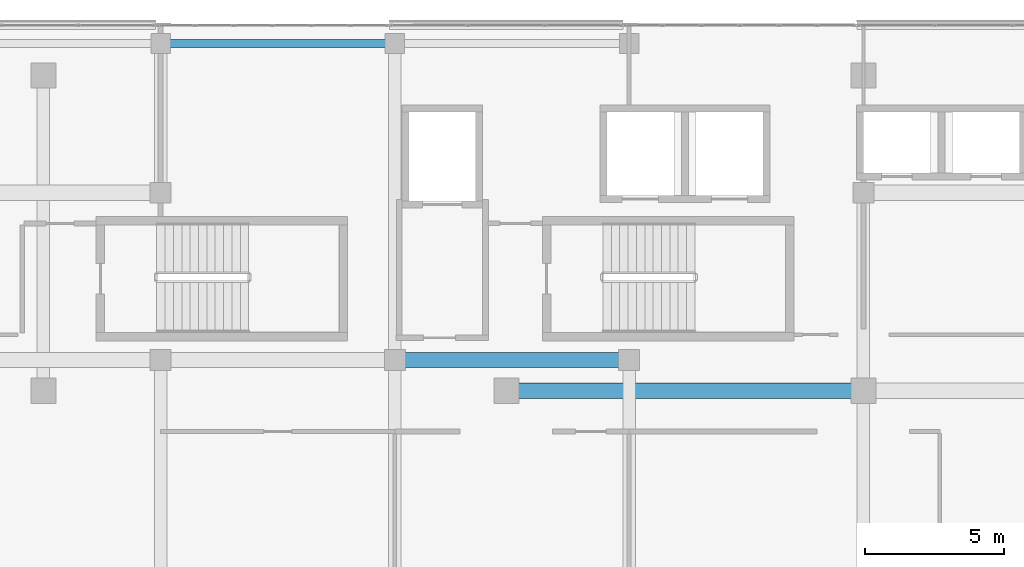
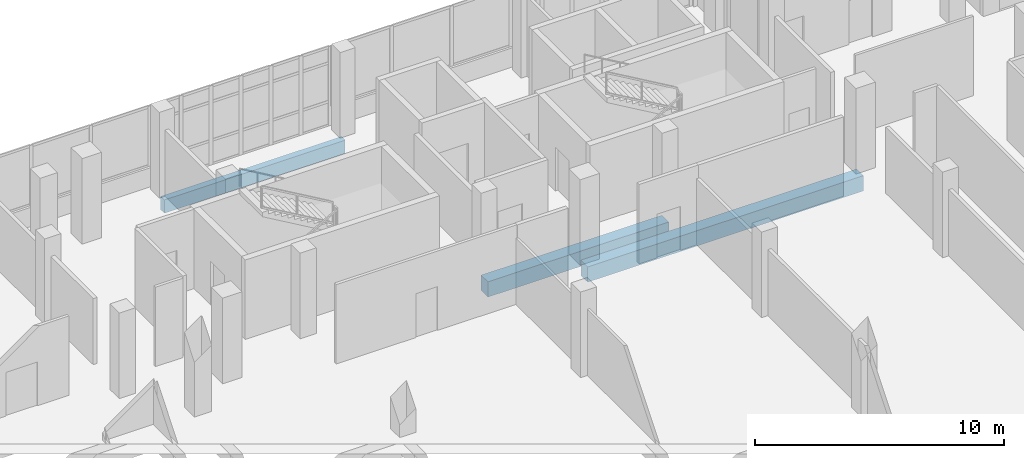
# One storey, part 112 of 184: 3 beams.
"""IFC4 building model written with IfcOpenShell, lengths in metres."""

from ifc_helpers import new_model, si_unit, direction, frame, origin, origin_2d, place, context, subcontext, project, spatial, rectangle, extrude, material, material_profile, profile_set, type_object, element, save


model = new_model("IFC4")

# Units and contexts
model_context = context("Model", 3, precision=1e-05, world=origin(), true_north=direction((0.0, 1.0)))
body_context = subcontext(model_context, "Body", "Model", "MODEL_VIEW")
ifc_project = project(units=[si_unit("LENGTHUNIT", "METRE"), si_unit("AREAUNIT", "SQUARE_METRE"), si_unit("VOLUMEUNIT", "CUBIC_METRE"), si_unit("PLANEANGLEUNIT", "RADIAN"), si_unit("MASSUNIT", "GRAM", prefix="KILO")], contexts=[model_context])

# Site, building, storey
site_placement = place(None, origin())
site = spatial("IfcSite", under=ifc_project, at=site_placement, CompositionType="ELEMENT")
building_placement = place(site_placement, origin())
building = spatial("IfcBuilding", under=site, at=building_placement, Name="Selatvlak General Hospital", CompositionType="ELEMENT")
storey_placement = place(building_placement, frame((0.0, 0.0, 15.0)))
storey = spatial("IfcBuildingStorey", under=building, at=storey_placement, Name="L03", CompositionType="ELEMENT", Elevation=15.0)

# Beams
ifc_material = material(Name="Concrete C40/50", Category="concrete")
ifc_material_profile_1 = material_profile(ifc_material, rectangle(XDim=0.550048828125, YDim=0.75, at=origin_2d()), Name="RC-BM 550x750")
ifc_profile_set_1 = profile_set([ifc_material_profile_1], Name="Concrete C40/50")
beam_type_1 = type_object("IfcBeamType", Name="BM-G02", PredefinedType="BEAM", material=ifc_profile_set_1)
beam_1_placement = place(storey_placement, frame((102.39990234375, 106.89990234375, -0.715087890625), z_axis=(1.0, 0.0, 0.0), x_axis=(0.0, 1.0, 0.0)))
element("IfcBeam", 1, at=beam_1_placement, inside=storey, type_object=beam_type_1, Name="Beam BMR-L03-1246", PredefinedType="BEAM", context=body_context, shape_type="SweptSolid", body=[
    extrude(rectangle(XDim=0.550048828125, YDim=0.75, at=origin_2d()), origin(), (0.0, 0.0, 1.0), 12.800048828125),
])
beam_2_placement = place(storey_placement, frame((98.39990234375, 108.0, -0.715087890625), z_axis=(1.0, 0.0, 0.0), x_axis=(0.0, 1.0, 0.0)))
element("IfcBeam", 2, at=beam_2_placement, inside=storey, type_object=beam_type_1, Name="Beam BMR-L03-1256", PredefinedType="BEAM", context=body_context, shape_type="SweptSolid", body=[
    extrude(rectangle(XDim=0.550048828125, YDim=0.75, at=origin_2d()), origin(), (0.0, 0.0, 1.0), 8.400146484375),
])
ifc_material_profile_2 = material_profile(ifc_material, rectangle(XDim=0.300048828125, YDim=0.64990234375, at=origin_2d()), Name="RC-SP 300x650")
ifc_profile_set_2 = profile_set([ifc_material_profile_2], Name="Concrete C40/50")
beam_type_2 = type_object("IfcBeamType", Name="BM-SP1", PredefinedType="SPANDREL", material=ifc_profile_set_2)
beam_3_placement = place(storey_placement, frame((90.0, 119.35009765625, -0.6650390625), z_axis=(1.0, 0.0, 0.0), x_axis=(0.0, 1.0, 0.0)))
element("IfcBeam", 3, at=beam_3_placement, inside=storey, type_object=beam_type_2, Name="Beam BMR-L03-1282", PredefinedType="SPANDREL", context=body_context, shape_type="SweptSolid", body=[
    extrude(rectangle(XDim=0.300048828125, YDim=0.64990234375, at=origin_2d()), origin(), (0.0, 0.0, 1.0), 8.39990234375),
])

save(model, "model.ifc")
